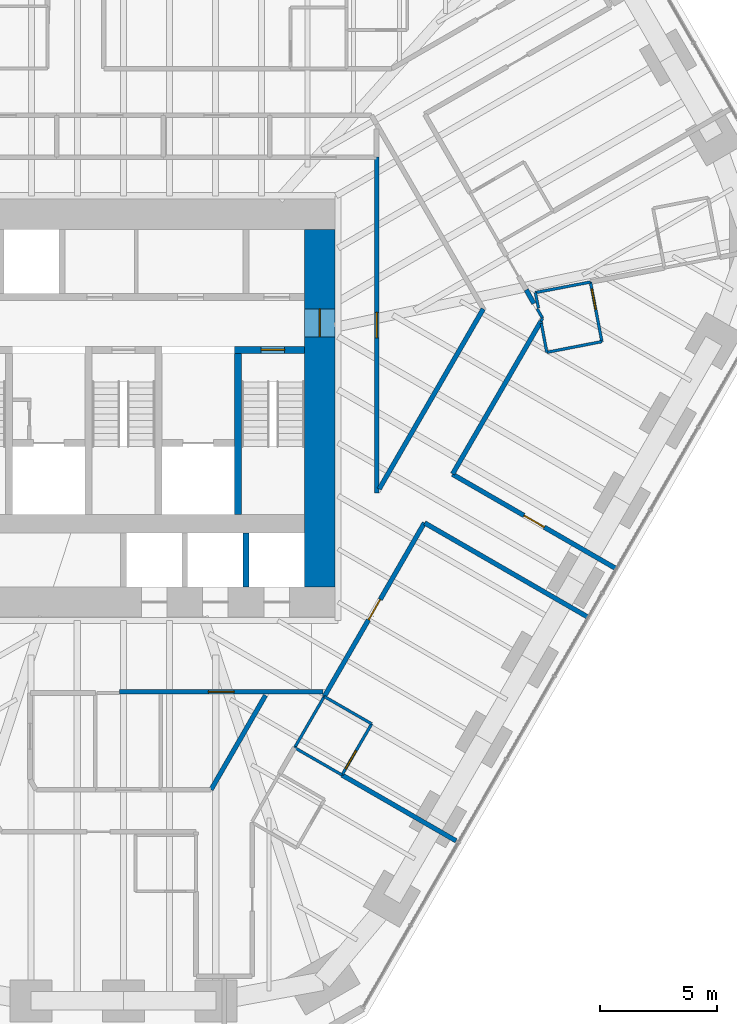
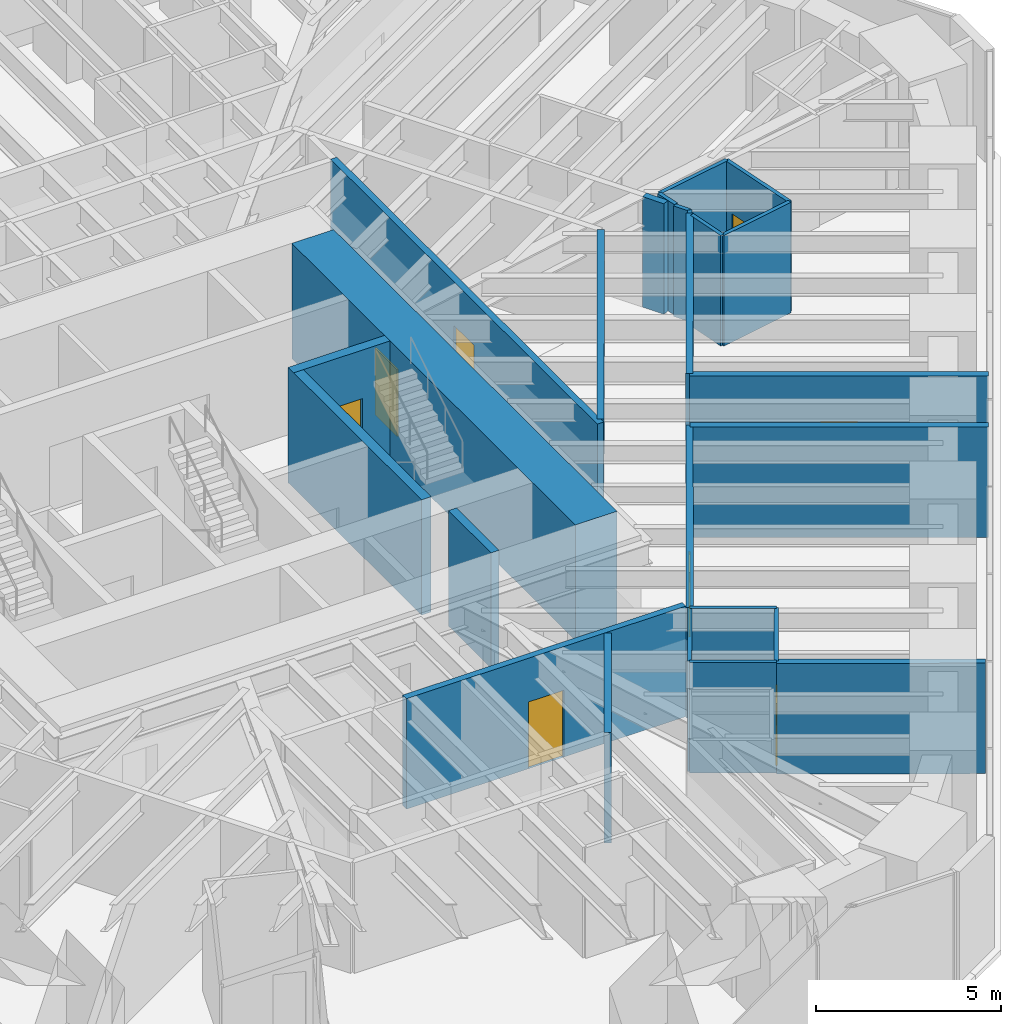
# One storey, part 13 of 17: 25 walls, 8 doors, 8 openings.
"""IFC4 building model written with IfcOpenShell, lengths in metres."""

from ifc_helpers import new_model, si_unit, direction, frame, frame_2d, origin, place, context, subcontext, project, spatial, rectangle, extrude, material, layer, layer_set, type_object, element, fill, save


model = new_model("IFC4")

# Units and contexts
model_context = context("Model", 3, precision=1e-05, world=origin(), true_north=direction((0.0, 1.0)))
body_context = subcontext(model_context, "Body", "Model", "MODEL_VIEW")
ifc_project = project(units=[si_unit("LENGTHUNIT", "METRE"), si_unit("AREAUNIT", "SQUARE_METRE"), si_unit("VOLUMEUNIT", "CUBIC_METRE"), si_unit("PLANEANGLEUNIT", "RADIAN"), si_unit("MASSUNIT", "GRAM", prefix="KILO")], contexts=[model_context])

# Site, building, storey
site_placement = place(None, origin())
site = spatial("IfcSite", under=ifc_project, at=site_placement, CompositionType="ELEMENT")
building_placement = place(site_placement, origin())
building = spatial("IfcBuilding", under=site, at=building_placement, Name="Sandreach Pilgrim Tower", CompositionType="ELEMENT")
storey_placement = place(building_placement, frame((0.0, 0.0, 142.39990234375)))
storey = spatial("IfcBuildingStorey", under=building, at=storey_placement, Name="L35", CompositionType="ELEMENT", Elevation=142.39990234375)

# Walls
ifc_material_1 = material(Name="Moisture-resistant gypsum board on steel studs", Category="steel")
ifc_layer_1 = layer(ifc_material_1, 0.1201171875)
ifc_layer_set_1 = layer_set([ifc_layer_1], Name="Bathroom partition 120")
wall_type_1 = type_object("IfcWallType", Name="Bathroom partition 120", PredefinedType="PARTITIONING", material=ifc_layer_set_1)
wall_1_placement = place(storey_placement, frame((7.330078125, -16.090087890625, 0.0), z_axis=(0.0, 0.0, 1.0), x_axis=(0.501632941931, 0.865080569409, 0.0)))
element("IfcWall", 1, at=wall_1_placement, inside=storey, type_object=wall_type_1, Name="Bathroom partition L35-101", PredefinedType="PARTITIONING", context=body_context, shape_type="SweptSolid", body=[
    extrude(rectangle(XDim=2.53173828125, YDim=0.1201171875, at=frame_2d((1.265869140625, 0.0))), origin(), (0.0, 0.0, 1.0), 3.64013671875),
])
wall_2_placement = place(storey_placement, frame((7.330078125, -16.090087890625, 0.0), z_axis=(0.0, 0.0, 1.0), x_axis=(0.866202934772, -0.499692381163, 0.0)))
element("IfcWall", 2, at=wall_2_placement, inside=storey, type_object=wall_type_1, Name="Bathroom partition L35-102", PredefinedType="PARTITIONING", context=body_context, shape_type="SweptSolid", body=[
    extrude(rectangle(XDim=2.3427734375, YDim=0.1201171875, at=frame_2d((1.17138671875, 0.0))), origin(), (0.0, 0.0, 1.0), 3.64013671875),
])

# Wall, opening, door
wall_3_placement = place(storey_placement, frame((9.360107421875, -17.260009765625, 0.0), z_axis=(0.0, 0.0, 1.0), x_axis=(0.501602618681, 0.865098152196, 0.0)))
wall_3 = element("IfcWall", 3, at=wall_3_placement, inside=storey, type_object=wall_type_1, Name="Bathroom partition L35-108", PredefinedType="PARTITIONING", context=body_context, shape_type="SweptSolid", body=[
    extrude(rectangle(XDim=2.531494140625, YDim=0.1201171875, at=frame_2d((1.265625, 0.0))), origin(), (0.0, 0.0, 1.0), 3.64013671875),
])
opening_1_placement = place(wall_3_placement, frame((0.300048828125, 0.0, 0.0)))
opening_1 = element("IfcOpeningElement", 4, at=opening_1_placement, cuts=wall_3, Name="Opening D09-08B", PredefinedType="OPENING", context=body_context, shape_type="SweptSolid", body=[
    extrude(rectangle(XDim=0.89990234375, YDim=2.030029296875, at=frame_2d((0.449951171875, 1.01513671875))), frame((0.0, 0.06005859375, 0.0), z_axis=(0.0, -1.0, 0.0), x_axis=(1.0, 0.0, 0.0)), (0.0, 0.0, 1.0), 0.1201171875),
])
ifc_material_2 = material(Name="Timber door, steel frame", Category="steel")
door_type_1 = type_object("IfcDoorType", Name="Bathroom door", OperationType="SINGLE_SWING_LEFT", PredefinedType="DOOR", material=ifc_material_2)
door_1_placement = place(opening_1_placement, origin())
door_1 = element("IfcDoor", 5, at=door_1_placement, inside=storey, type_object=door_type_1, Name="Door 3508B", OperationType="SINGLE_SWING_LEFT", OverallHeight=2.030029296875, OverallWidth=0.89990234375, PredefinedType="DOOR", context=body_context, shape_type="SweptSolid", body=[
    extrude(rectangle(XDim=0.89990234375, YDim=2.030029296875, at=frame_2d((0.449951171875, 1.01513671875))), frame((0.0, 0.02490234375, 0.0), z_axis=(0.0, -1.0, 0.0), x_axis=(1.0, 0.0, 0.0)), (0.0, 0.0, 1.0), 0.050048828125),
])
fill(opening_1, door_1)

# Walls
wall_4_placement = place(storey_placement, frame((10.6298828125, -15.070068359375, 0.0), z_axis=(0.0, 0.0, 1.0), x_axis=(-0.866345142729, 0.499445786517, 0.0)))
element("IfcWall", 6, at=wall_4_placement, inside=storey, type_object=wall_type_1, Name="Bathroom partition L35-117", PredefinedType="PARTITIONING", context=body_context, shape_type="SweptSolid", body=[
    extrude(rectangle(XDim=2.343017578125, YDim=0.1201171875, at=frame_2d((1.17138671875, 0.0))), origin(), (0.0, 0.0, 1.0), 3.64013671875),
])
wall_5_placement = place(storey_placement, frame((17.639892578125, 3.39990234375, 0.0), z_axis=(0.0, 0.0, 1.0), x_axis=(0.982288725898, 0.187373581313, 0.0)))
element("IfcWall", 7, at=wall_5_placement, inside=storey, type_object=wall_type_1, Name="Bathroom partition L35-135", PredefinedType="PARTITIONING", context=body_context, shape_type="SweptSolid", body=[
    extrude(rectangle(XDim=2.402587890625, YDim=0.1201171875, at=frame_2d((1.201171875, 0.0))), origin(), (0.0, 0.0, 1.0), 3.64013671875),
])
wall_6_placement = place(storey_placement, frame((17.719970703125, 2.699951171875, 0.0), z_axis=(0.0, 0.0, 1.0), x_axis=(0.498530782172, -0.866871997025, 0.0)))
element("IfcWall", 8, at=wall_6_placement, inside=storey, type_object=wall_type_1, Name="Bathroom partition L35-136", PredefinedType="PARTITIONING", context=body_context, shape_type="SweptSolid", body=[
    extrude(rectangle(XDim=0.46142578125, YDim=0.1201171875, at=frame_2d((0.230712890625, 0.0))), origin(), (0.0, 0.0, 1.0), 3.64013671875),
])
wall_7_placement = place(storey_placement, frame((17.773681640625, 2.7314453125, 0.0), z_axis=(0.0, 0.0, 1.0), x_axis=(-0.196253874553, 0.980553117747, 0.0)))
element("IfcWall", 9, at=wall_7_placement, inside=storey, type_object=wall_type_1, Name="Bathroom partition L35-137", PredefinedType="PARTITIONING", context=body_context, shape_type="SweptSolid", body=[
    extrude(rectangle(XDim=0.681640625, YDim=0.1201171875, at=frame_2d((0.3408203125, 0.0))), origin(), (0.0, 0.0, 1.0), 3.64013671875),
])
wall_8_placement = place(storey_placement, frame((17.8798828125, 2.169921875, 0.0), z_axis=(0.0, 0.0, 1.0), x_axis=(0.474099823035, 0.880471099922, 0.0)))
element("IfcWall", 10, at=wall_8_placement, inside=storey, type_object=wall_type_1, Name="Bathroom partition L35-138", PredefinedType="PARTITIONING", context=body_context, shape_type="SweptSolid", body=[
    extrude(rectangle(XDim=0.147705078125, YDim=0.1201171875, at=frame_2d((0.07373046875, 0.0))), origin(), (0.0, 0.0, 1.0), 3.64013671875),
])
wall_9_placement = place(storey_placement, frame((17.896728515625, 2.08154296875, 0.0), z_axis=(0.0, 0.0, 1.0), x_axis=(0.184580266957, -0.982817442382, 0.0)))
element("IfcWall", 11, at=wall_9_placement, inside=storey, type_object=wall_type_1, Name="Bathroom partition L35-139", PredefinedType="PARTITIONING", context=body_context, shape_type="SweptSolid", body=[
    extrude(rectangle(XDim=1.26318359375, YDim=0.1201171875, at=frame_2d((0.631591796875, 0.0))), origin(), (0.0, 0.0, 1.0), 3.64013671875),
])
wall_10_placement = place(storey_placement, frame((18.1298828125, 0.840087890625, 0.0), z_axis=(0.0, 0.0, 1.0), x_axis=(0.981533392326, 0.191290877329, 0.0)))
element("IfcWall", 12, at=wall_10_placement, inside=storey, type_object=wall_type_1, Name="Bathroom partition L35-140", PredefinedType="PARTITIONING", context=body_context, shape_type="SweptSolid", body=[
    extrude(rectangle(XDim=2.404541015625, YDim=0.1201171875, at=frame_2d((1.2021484375, 0.0))), origin(), (0.0, 0.0, 1.0), 3.64013671875),
])

# Wall, opening, door
wall_11_placement = place(storey_placement, frame((20.489990234375, 1.300048828125, 0.0), z_axis=(0.0, 0.0, 1.0), x_axis=(-0.188697442844, 0.982035271802, 0.0)))
wall_11 = element("IfcWall", 13, at=wall_11_placement, inside=storey, type_object=wall_type_1, Name="Bathroom partition L35-147", PredefinedType="PARTITIONING", context=body_context, shape_type="SweptSolid", body=[
    extrude(rectangle(XDim=2.5966796875, YDim=0.1201171875, at=frame_2d((1.29833984375, 0.0))), origin(), (0.0, 0.0, 1.0), 3.64013671875),
])
opening_2_placement = place(wall_11_placement, frame((1.396728515625, 0.0, 0.0)))
opening_2 = element("IfcOpeningElement", 14, at=opening_2_placement, cuts=wall_11, Name="Opening D09-07B", PredefinedType="OPENING", context=body_context, shape_type="SweptSolid", body=[
    extrude(rectangle(XDim=0.89990234375, YDim=2.030029296875, at=frame_2d((0.449951171875, 1.01513671875))), frame((0.0, 0.06005859375, 0.0), z_axis=(0.0, -1.0, 0.0), x_axis=(1.0, 0.0, 0.0)), (0.0, 0.0, 1.0), 0.1201171875),
])
door_2_placement = place(opening_2_placement, origin())
door_2 = element("IfcDoor", 15, at=door_2_placement, inside=storey, type_object=door_type_1, Name="Door 3507B", OperationType="SINGLE_SWING_RIGHT", OverallHeight=2.030029296875, OverallWidth=0.89990234375, PredefinedType="DOOR", context=body_context, shape_type="SweptSolid", body=[
    extrude(rectangle(XDim=0.89990234375, YDim=2.030029296875, at=frame_2d((0.449951171875, 1.01513671875))), frame((0.0, 0.02490234375, 0.0), z_axis=(0.0, -1.0, 0.0), x_axis=(1.0, 0.0, 0.0)), (0.0, 0.0, 1.0), 0.050048828125),
])
fill(opening_2, door_2)

# Wall
ifc_material_3 = material(Name="Concrete 10000 psi", Category="concrete")
ifc_layer_2 = layer(ifc_material_3, 0.300048828125)
ifc_layer_set_2 = layer_set([ifc_layer_2], Name="Core inner wall 300")
wall_type_2 = type_object("IfcWallType", Name="Core inner wall 300", PredefinedType="SHEAR", material=ifc_layer_set_2)
wall_12_placement = place(storey_placement, frame((4.89990234375, -6.10009765625, 0.0), z_axis=(0.0, 0.0, 1.0), x_axis=(0.0, 1.0, 0.0)))
element("IfcWall", 16, at=wall_12_placement, inside=storey, type_object=wall_type_2, Name="Core wall I3 L35", PredefinedType="SHEAR", context=body_context, shape_type="SweptSolid", body=[
    extrude(rectangle(XDim=7.2001953125, YDim=0.300048828125, at=frame_2d((3.60009765625, 0.0))), origin(), (0.0, 0.0, 1.0), 3.800048828125),
])

# Wall, opening, door
wall_13_placement = place(storey_placement, frame((4.75, 0.949951171875, 0.0), z_axis=(0.0, 0.0, 1.0), x_axis=(1.0, 0.0, 0.0)))
wall_13 = element("IfcWall", 17, at=wall_13_placement, inside=storey, type_object=wall_type_2, Name="Core wall SN2 L35", PredefinedType="SHEAR", context=body_context, shape_type="SweptSolid", body=[
    extrude(rectangle(XDim=3.0, YDim=0.300048828125, at=frame_2d((1.5, 0.0))), origin(), (0.0, 0.0, 1.0), 3.800048828125),
])
opening_3_placement = place(wall_13_placement, frame((1.14990234375, 0.0, 0.0)))
opening_3 = element("IfcOpeningElement", 18, at=opening_3_placement, cuts=wall_13, Name="Opening D10S-ST2", PredefinedType="OPENING", context=body_context, shape_type="SweptSolid", body=[
    extrude(rectangle(XDim=1.0, YDim=2.199951171875, at=frame_2d((0.5, 1.10009765625))), frame((0.0, 0.14990234375, 0.0), z_axis=(0.0, -1.0, 0.0), x_axis=(1.0, 0.0, 0.0)), (0.0, 0.0, 1.0), 0.300048828125),
])
ifc_material_4 = material(Name="Steel door and frame", Category="steel")
door_type_2 = type_object("IfcDoorType", Name="Stair door", OperationType="SINGLE_SWING_LEFT", PredefinedType="DOOR", material=ifc_material_4)
door_3_placement = place(opening_3_placement, origin())
door_3 = element("IfcDoor", 19, at=door_3_placement, inside=storey, type_object=door_type_2, Name="Stair door ST2 L35", OperationType="SINGLE_SWING_RIGHT", OverallHeight=2.199951171875, OverallWidth=1.0, PredefinedType="DOOR", context=body_context, shape_type="SweptSolid", body=[
    extrude(rectangle(XDim=1.0, YDim=2.199951171875, at=frame_2d((0.5, 1.10009765625))), frame((0.0, 0.02490234375, 0.0), z_axis=(0.0, -1.0, 0.0), x_axis=(1.0, 0.0, 0.0)), (0.0, 0.0, 1.0), 0.050048828125),
])
fill(opening_3, door_3)

ifc_material_5 = material(Name="Concrete 10000 psi", Category="concrete")
ifc_layer_3 = layer(ifc_material_5, 1.300048828125)
ifc_layer_set_3 = layer_set([ifc_layer_3], Name="Core wall 1300")
wall_type_3 = type_object("IfcWallType", Name="Core wall 1300", PredefinedType="SHEAR", material=ifc_layer_set_3)
wall_14_placement = place(storey_placement, frame((8.39990234375, -9.199951171875, 0.0), z_axis=(0.0, 0.0, 1.0), x_axis=(0.0, 1.0, 0.0)))
wall_14 = element("IfcWall", 20, at=wall_14_placement, inside=storey, type_object=wall_type_3, Name="Core wall E L35", PredefinedType="SHEAR", context=body_context, shape_type="SweptSolid", body=[
    extrude(rectangle(XDim=15.300048828125, YDim=1.300048828125, at=frame_2d((7.64990234375, 0.0))), origin(), (0.0, 0.0, 1.0), 3.800048828125),
])
opening_4_placement = place(wall_14_placement, frame((10.699951171875, 0.0, 0.0)))
opening_4 = element("IfcOpeningElement", 21, at=opening_4_placement, cuts=wall_14, Name="Opening D12F-E", PredefinedType="OPENING", context=body_context, shape_type="SweptSolid", body=[
    extrude(rectangle(XDim=1.199951171875, YDim=2.199951171875, at=frame_2d((0.60009765625, 1.10009765625))), frame((0.0, 0.64990234375, 0.0), z_axis=(0.0, -1.0, 0.0), x_axis=(1.0, 0.0, 0.0)), (0.0, 0.0, 1.0), 1.300048828125),
])
ifc_material_6 = material(Name="Steel door and frame", Category="steel")
door_type_3 = type_object("IfcDoorType", Name="Fire lobby door", OperationType="SINGLE_SWING_LEFT", PredefinedType="DOOR", material=ifc_material_6)
door_4_placement = place(opening_4_placement, origin())
door_4 = element("IfcDoor", 22, at=door_4_placement, inside=storey, type_object=door_type_3, Name="Fire service lobby door E L35", OperationType="SINGLE_SWING_RIGHT", OverallHeight=2.199951171875, OverallWidth=1.199951171875, PredefinedType="DOOR", context=body_context, shape_type="SweptSolid", body=[
    extrude(rectangle(XDim=1.199951171875, YDim=2.199951171875, at=frame_2d((0.60009765625, 1.10009765625))), frame((0.0, 0.02490234375, 0.0), z_axis=(0.0, -1.0, 0.0), x_axis=(1.0, 0.0, 0.0)), (0.0, 0.0, 1.0), 0.050048828125),
])
fill(opening_4, door_4)

# Wall
ifc_material_7 = material(Name="Gypsum board on steel studs, two layers each side", Category="steel")
ifc_layer_4 = layer(ifc_material_7, 0.199951171875)
ifc_layer_set_4 = layer_set([ifc_layer_4], Name="Corridor wall 200")
wall_type_4 = type_object("IfcWallType", Name="Corridor wall 200", PredefinedType="PARTITIONING", material=ifc_layer_set_4)
wall_15_placement = place(storey_placement, frame((6.08251953125, -13.849609375, 0.0), z_axis=(0.0, 0.0, 1.0), x_axis=(-0.499977643516, -0.866038310922, 0.0)))
element("IfcWall", 23, at=wall_15_placement, inside=storey, type_object=wall_type_4, Name="Corridor wall L35-094", PredefinedType="PARTITIONING", context=body_context, shape_type="SweptSolid", body=[
    extrude(rectangle(XDim=4.665283203125, YDim=0.199951171875, at=frame_2d((2.33251953125, 0.0))), origin(), (0.0, 0.0, 1.0), 3.64013671875),
])

# Wall, opening, door
wall_16_placement = place(storey_placement, frame((8.545166015625, -13.699951171875, 0.0), z_axis=(0.0, 0.0, 1.0), x_axis=(-1.0, 0.0, 0.0)))
wall_16 = element("IfcWall", 24, at=wall_16_placement, inside=storey, type_object=wall_type_4, Name="Corridor wall L35-104", PredefinedType="PARTITIONING", context=body_context, shape_type="SweptSolid", body=[
    extrude(rectangle(XDim=8.715087890625, YDim=0.199951171875, at=frame_2d((4.357421875, 0.0))), origin(), (0.0, 0.0, 1.0), 3.64013671875),
])
opening_5_placement = place(wall_16_placement, frame((3.8076171875, 0.0, 0.0)))
opening_5 = element("IfcOpeningElement", 25, at=opening_5_placement, cuts=wall_16, Name="Opening D11H-S4", PredefinedType="OPENING", context=body_context, shape_type="SweptSolid", body=[
    extrude(rectangle(XDim=1.10009765625, YDim=2.199951171875, at=frame_2d((0.550048828125, 1.10009765625))), frame((0.0, 0.10009765625, 0.0), z_axis=(0.0, -1.0, 0.0), x_axis=(1.0, 0.0, 0.0)), (0.0, 0.0, 1.0), 0.199951171875),
])
ifc_material_8 = material(Name="Steel door and frame", Category="steel")
door_type_4 = type_object("IfcDoorType", Name="Back of house door", OperationType="SINGLE_SWING_LEFT", PredefinedType="DOOR", material=ifc_material_8)
door_5_placement = place(opening_5_placement, origin())
door_5 = element("IfcDoor", 26, at=door_5_placement, inside=storey, type_object=door_type_4, Name="Door 35S4", OperationType="SINGLE_SWING_LEFT", OverallHeight=2.199951171875, OverallWidth=1.10009765625, PredefinedType="DOOR", context=body_context, shape_type="SweptSolid", body=[
    extrude(rectangle(XDim=1.10009765625, YDim=2.199951171875, at=frame_2d((0.550048828125, 1.10009765625))), frame((0.0, 0.02490234375, 0.0), z_axis=(0.0, -1.0, 0.0), x_axis=(1.0, 0.0, 0.0)), (0.0, 0.0, 1.0), 0.050048828125),
])
fill(opening_5, door_5)

wall_17_placement = place(storey_placement, frame((8.60009765625, -13.89990234375, 0.0), z_axis=(0.0, 0.0, 1.0), x_axis=(0.499505868716, 0.866310502717, 0.0)))
wall_17 = element("IfcWall", 27, at=wall_17_placement, inside=storey, type_object=wall_type_4, Name="Corridor wall L35-105", PredefinedType="PARTITIONING", context=body_context, shape_type="SweptSolid", body=[
    extrude(rectangle(XDim=8.588134765625, YDim=0.199951171875, at=frame_2d((4.2939453125, 0.0))), origin(), (0.0, 0.0, 1.0), 3.64013671875),
])
opening_6_placement = place(wall_17_placement, frame((3.794189453125, 0.0, 0.0)))
opening_6 = element("IfcOpeningElement", 28, at=opening_6_placement, cuts=wall_17, Name="Opening D10-08", PredefinedType="OPENING", context=body_context, shape_type="SweptSolid", body=[
    extrude(rectangle(XDim=1.0, YDim=2.1298828125, at=frame_2d((0.5, 1.06494140625))), frame((0.0, 0.10009765625, 0.0), z_axis=(0.0, -1.0, 0.0), x_axis=(1.0, 0.0, 0.0)), (0.0, 0.0, 1.0), 0.199951171875),
])
ifc_material_9 = material(Name="Steel door and frame", Category="steel")
door_type_5 = type_object("IfcDoorType", Name="Guest room entry door", OperationType="SINGLE_SWING_LEFT", PredefinedType="DOOR", material=ifc_material_9)
door_6_placement = place(opening_6_placement, origin())
door_6 = element("IfcDoor", 29, at=door_6_placement, inside=storey, type_object=door_type_5, Name="Door 3508", OperationType="SINGLE_SWING_LEFT", OverallHeight=2.1298828125, OverallWidth=1.0, PredefinedType="DOOR", context=body_context, shape_type="SweptSolid", body=[
    extrude(rectangle(XDim=1.0, YDim=2.1298828125, at=frame_2d((0.5, 1.06494140625))), frame((0.0, 0.02490234375, 0.0), z_axis=(0.0, -1.0, 0.0), x_axis=(1.0, 0.0, 0.0)), (0.0, 0.0, 1.0), 0.050048828125),
])
fill(opening_6, door_6)

wall_18_placement = place(storey_placement, frame((10.85009765625, -5.18994140625, 0.0), z_axis=(0.0, 0.0, 1.0), x_axis=(0.0, 1.0, 0.0)))
wall_18 = element("IfcWall", 30, at=wall_18_placement, inside=storey, type_object=wall_type_4, Name="Corridor wall L35-121", PredefinedType="PARTITIONING", context=body_context, shape_type="SweptSolid", body=[
    extrude(rectangle(XDim=14.389892578125, YDim=0.199951171875, at=frame_2d((7.19482421875, 0.0))), origin(), (0.0, 0.0, 1.0), 3.64013671875),
])
opening_7_placement = place(wall_18_placement, frame((6.64501953125, 0.0, 0.0)))
opening_7 = element("IfcOpeningElement", 31, at=opening_7_placement, cuts=wall_18, Name="Opening D11H-M07", PredefinedType="OPENING", context=body_context, shape_type="SweptSolid", body=[
    extrude(rectangle(XDim=1.10009765625, YDim=2.199951171875, at=frame_2d((0.550048828125, 1.10009765625))), frame((0.0, 0.10009765625, 0.0), z_axis=(0.0, -1.0, 0.0), x_axis=(1.0, 0.0, 0.0)), (0.0, 0.0, 1.0), 0.199951171875),
])
door_7_placement = place(opening_7_placement, origin())
door_7 = element("IfcDoor", 32, at=door_7_placement, inside=storey, type_object=door_type_4, Name="Door 35M07", OperationType="SINGLE_SWING_LEFT", OverallHeight=2.199951171875, OverallWidth=1.10009765625, PredefinedType="DOOR", context=body_context, shape_type="SweptSolid", body=[
    extrude(rectangle(XDim=1.10009765625, YDim=2.199951171875, at=frame_2d((0.550048828125, 1.10009765625))), frame((0.0, 0.02490234375, 0.0), z_axis=(0.0, -1.0, 0.0), x_axis=(1.0, 0.0, 0.0)), (0.0, 0.0, 1.0), 0.050048828125),
])
fill(opening_7, door_7)

# Walls
wall_19_placement = place(storey_placement, frame((12.903076171875, -6.467529296875, 0.0), z_axis=(0.0, 0.0, 1.0), x_axis=(0.866179534239, -0.499732943147, 0.0)))
element("IfcWall", 33, at=wall_19_placement, inside=storey, type_object=wall_type_4, Name="Corridor wall L35-126", PredefinedType="PARTITIONING", context=body_context, shape_type="SweptSolid", body=[
    extrude(rectangle(XDim=8.0595703125, YDim=0.199951171875, at=frame_2d((4.02978515625, 0.0))), origin(), (0.0, 0.0, 1.0), 3.64013671875),
])
wall_20_placement = place(storey_placement, frame((14.097412109375, -4.366943359375, 0.0), z_axis=(0.0, 0.0, 1.0), x_axis=(0.500859137679, 0.865528811885, 0.0)))
element("IfcWall", 34, at=wall_20_placement, inside=storey, type_object=wall_type_4, Name="Corridor wall L35-128", PredefinedType="PARTITIONING", context=body_context, shape_type="SweptSolid", body=[
    extrude(rectangle(XDim=7.552490234375, YDim=0.199951171875, at=frame_2d((3.7763671875, 0.0))), origin(), (0.0, 0.0, 1.0), 3.64013671875),
])
wall_21_placement = place(storey_placement, frame((15.409912109375, 2.699951171875, 0.0), z_axis=(0.0, 0.0, 1.0), x_axis=(-0.500372062762, -0.865810486658, 0.0)))
element("IfcWall", 35, at=wall_21_placement, inside=storey, type_object=wall_type_4, Name="Corridor wall L35-130", PredefinedType="PARTITIONING", context=body_context, shape_type="SweptSolid", body=[
    extrude(rectangle(XDim=8.912841796875, YDim=0.199951171875, at=frame_2d((4.45654296875, 0.0))), origin(), (0.0, 0.0, 1.0), 3.64013671875),
])
wall_22_placement = place(storey_placement, frame((17.25, 3.52001953125, 0.0), z_axis=(0.0, 0.0, 1.0), x_axis=(0.485489114803, -0.874242711956, 0.0)))
element("IfcWall", 36, at=wall_22_placement, inside=storey, type_object=wall_type_4, Name="Corridor wall L35-134", PredefinedType="PARTITIONING", context=body_context, shape_type="SweptSolid", body=[
    extrude(rectangle(XDim=0.673828125, YDim=0.199951171875, at=frame_2d((0.3369140625, 0.0))), origin(), (0.0, 0.0, 1.0), 3.64013671875),
])

# Wall, opening, door
wall_23_placement = place(storey_placement, frame((21.083984375, -8.4150390625, 0.0), z_axis=(0.0, 0.0, 1.0), x_axis=(-0.866174008169, 0.499742521277, 0.0)))
wall_23 = element("IfcWall", 37, at=wall_23_placement, inside=storey, type_object=wall_type_4, Name="Corridor wall L35-148", PredefinedType="PARTITIONING", context=body_context, shape_type="SweptSolid", body=[
    extrude(rectangle(XDim=8.074462890625, YDim=0.199951171875, at=frame_2d((4.037109375, 0.0))), origin(), (0.0, 0.0, 1.0), 3.64013671875),
])
opening_8_placement = place(wall_23_placement, frame((3.537353515625, 0.0, 0.0)))
opening_8 = element("IfcOpeningElement", 38, at=opening_8_placement, cuts=wall_23, Name="Opening D10-07", PredefinedType="OPENING", context=body_context, shape_type="SweptSolid", body=[
    extrude(rectangle(XDim=1.0, YDim=2.1298828125, at=frame_2d((0.5, 1.06494140625))), frame((0.0, 0.10009765625, 0.0), z_axis=(0.0, -1.0, 0.0), x_axis=(1.0, 0.0, 0.0)), (0.0, 0.0, 1.0), 0.199951171875),
])
door_8_placement = place(opening_8_placement, origin())
door_8 = element("IfcDoor", 39, at=door_8_placement, inside=storey, type_object=door_type_5, Name="Door 3507", OperationType="SINGLE_SWING_LEFT", OverallHeight=2.1298828125, OverallWidth=1.0, PredefinedType="DOOR", context=body_context, shape_type="SweptSolid", body=[
    extrude(rectangle(XDim=1.0, YDim=2.1298828125, at=frame_2d((0.5, 1.06494140625))), frame((0.0, 0.02490234375, 0.0), z_axis=(0.0, -1.0, 0.0), x_axis=(1.0, 0.0, 0.0)), (0.0, 0.0, 1.0), 0.050048828125),
])
fill(opening_8, door_8)

# Walls
ifc_material_10 = material(Name="Double steel stud acoustic wall, gypsum board", Category="steel")
ifc_layer_5 = layer(ifc_material_10, 0.199951171875)
ifc_layer_set_5 = layer_set([ifc_layer_5], Name="Party wall 200")
wall_type_5 = type_object("IfcWallType", Name="Party wall 200", PredefinedType="PARTITIONING", material=ifc_layer_set_5)
wall_24_placement = place(storey_placement, frame((9.359375, -17.2607421875, 0.0), z_axis=(0.0, 0.0, 1.0), x_axis=(0.866179822479, -0.499732443544, 0.0)))
element("IfcWall", 40, at=wall_24_placement, inside=storey, type_object=wall_type_5, Name="Party wall L35-107", PredefinedType="PARTITIONING", context=body_context, shape_type="SweptSolid", body=[
    extrude(rectangle(XDim=5.6416015625, YDim=0.199951171875, at=frame_2d((2.82080078125, 0.0))), origin(), (0.0, 0.0, 1.0), 3.64013671875),
])
ifc_material_11 = material(Name="Gypsum shaft wall on steel studs, two layers of shaft liner board", Category="steel")
ifc_layer_6 = layer(ifc_material_11, 0.25)
ifc_layer_set_6 = layer_set([ifc_layer_6], Name="Shaft partition 250")
wall_type_6 = type_object("IfcWallType", Name="Shaft partition 250", PredefinedType="PARTITIONING", material=ifc_layer_set_6)
wall_25_placement = place(storey_placement, frame((5.25, -9.199951171875, 0.0), z_axis=(0.0, 0.0, 1.0), x_axis=(0.0, 1.0, 0.0)))
element("IfcWall", 41, at=wall_25_placement, inside=storey, type_object=wall_type_6, Name="Shaft partition XS4 L35", PredefinedType="PARTITIONING", context=body_context, shape_type="SweptSolid", body=[
    extrude(rectangle(XDim=2.300048828125, YDim=0.25, at=frame_2d((1.14990234375, 0.0))), origin(), (0.0, 0.0, 1.0), 3.800048828125),
])

save(model, "model.ifc")
